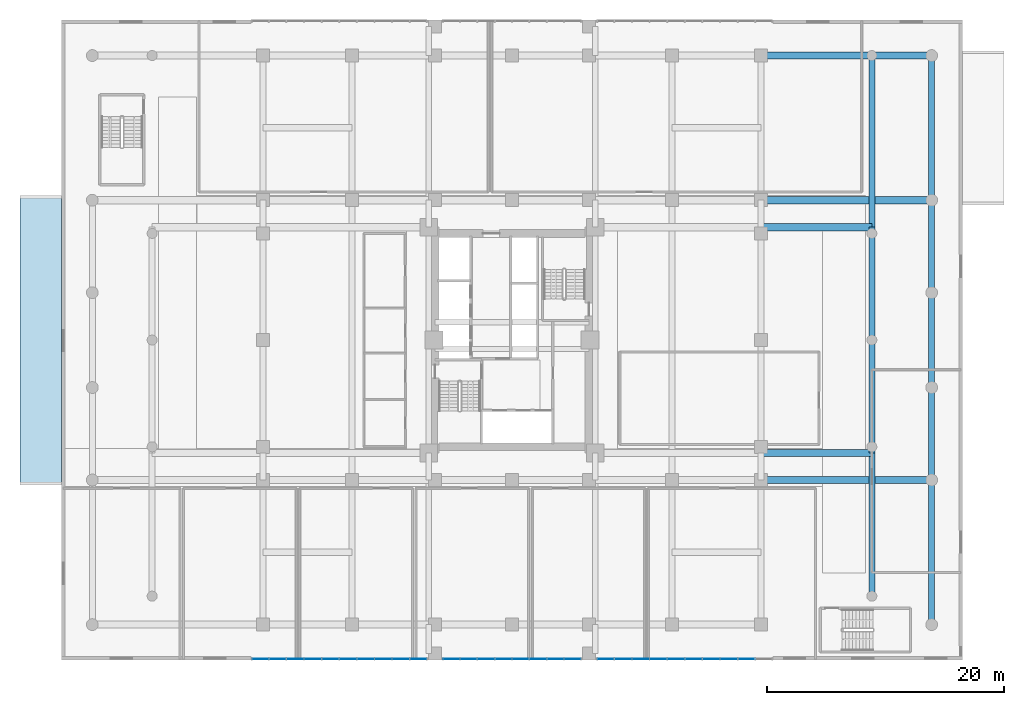
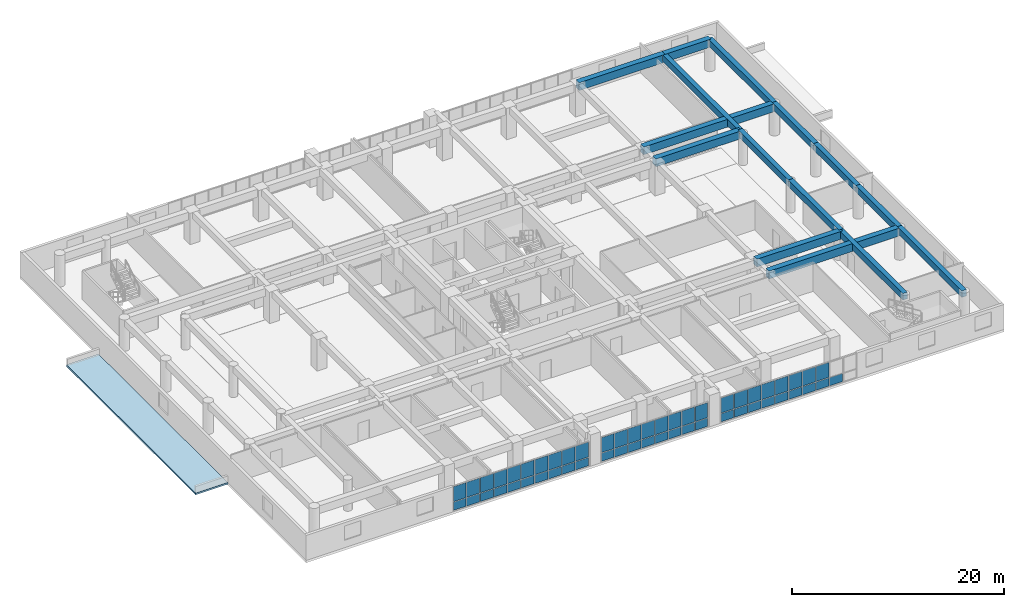
# One storey, part 12 of 27: 53 plates, 15 beams, 1 slab, 3 elements without a shape of their own.
"""IFC4 building model written with IfcOpenShell, lengths in metres."""

from ifc_helpers import new_model, si_unit, direction, frame, origin, origin_2d, place, context, subcontext, project, spatial, polyline, rectangle, outline, extrude, source, transform, mapped, material, layer, layer_set, material_profile, profile_set, type_object, element, aggregate, save


model = new_model("IFC4")

# Units and contexts
model_context = context("Model", 3, precision=1e-05, world=origin(), true_north=direction((0.0, 1.0)))
body_context = subcontext(model_context, "Body", "Model", "MODEL_VIEW")
ifc_project = project(units=[si_unit("LENGTHUNIT", "METRE"), si_unit("AREAUNIT", "SQUARE_METRE"), si_unit("VOLUMEUNIT", "CUBIC_METRE"), si_unit("PLANEANGLEUNIT", "RADIAN"), si_unit("MASSUNIT", "GRAM", prefix="KILO")], contexts=[model_context])

# Site, building, storey
site_placement = place(None, origin())
site = spatial("IfcSite", under=ifc_project, at=site_placement, CompositionType="ELEMENT")
building_placement = place(site_placement, origin())
building = spatial("IfcBuilding", under=site, at=building_placement, Name="Saelheon Loggia Tower", CompositionType="ELEMENT")
storey_placement = place(building_placement, frame((0.0, 0.0, 4.199951171875)))
storey = spatial("IfcBuildingStorey", under=building, at=storey_placement, Name="L01", CompositionType="ELEMENT", Elevation=4.199951171875)

# Beams
ifc_material_1 = material(Name="Concrete C50/60", Category="concrete")
ifc_material_profile_1 = material_profile(ifc_material_1, rectangle(XDim=0.60009765625, YDim=0.89990234375, at=origin_2d()), Name="RC-600x900")
ifc_profile_set_1 = profile_set([ifc_material_profile_1], Name="Concrete C50/60")
beam_type_1 = type_object("IfcBeamType", Name="Beam_MainGirder_RC600x900", PredefinedType="BEAM", material=ifc_profile_set_1)
shared_shape_1 = source(origin(), body_context, "Body", "SweptSolid", [
    extrude(rectangle(XDim=0.60009765625, YDim=0.89990234375, at=origin_2d()), origin(), (0.0, 0.0, 1.0), 14.39990234375),
])
for number, where, z_axis, x_axis, name in (
    (1, (59.0, 15.199951171875, 3.150146484375), (1.0, 0.0, 0.0), (0.0, 1.0, 0.0), "BM-L01-EW-15-8"),
    (2, (59.0, 38.800048828125, 3.150146484375), (1.0, 0.0, 0.0), (0.0, 1.0, 0.0), "BM-L01-EW-38-8"),
):
    element("IfcBeam", number, at=place(storey_placement, frame(where, z_axis=z_axis, x_axis=x_axis)), inside=storey, type_object=beam_type_1, Name=name, PredefinedType="BEAM", context=body_context, shape_type="MappedRepresentation", body=[
        mapped(shared_shape_1, transform((0.0, 0.0, 0.0), scale=1.0)),
    ])
shared_shape_2 = source(origin(), body_context, "Body", "SweptSolid", [
    extrude(rectangle(XDim=0.60009765625, YDim=0.89990234375, at=origin_2d()), origin(), (0.0, 0.0, 1.0), 5.0498046875),
])
beam_1_placement = place(storey_placement, frame((68.35009765625, 51.0, 3.150146484375), z_axis=(1.0, 0.0, 0.0), x_axis=(0.0, 1.0, 0.0)))
element("IfcBeam", 3, at=beam_1_placement, inside=storey, type_object=beam_type_1, Name="BM-L01-EW-51-10", PredefinedType="BEAM", context=body_context, shape_type="MappedRepresentation", body=[
    mapped(shared_shape_2, transform((0.0, 0.0, 0.0), scale=1.0)),
])
shared_shape_3 = source(origin(), body_context, "Body", "SweptSolid", [
    extrude(rectangle(XDim=0.60009765625, YDim=0.89990234375, at=origin_2d()), origin(), (0.0, 0.0, 1.0), 9.35009765625),
])
for number, where, z_axis, x_axis, name in (
    (4, (59.0, 51.0, 3.150146484375), (1.0, 0.0, 0.0), (0.0, 1.0, 0.0), "BM-L01-EW-51-9"),
    (5, (59.0, 17.47998046875, 3.150146484375), (1.0, 0.0, 0.0), (0.0, 1.0, 0.0), "BM-L01-CT-17-E1"),
    (6, (59.0, 36.52001953125, 3.150146484375), (1.0, 0.0, 0.0), (0.0, 1.0, 0.0), "BM-L01-CT-36-E1"),
):
    element("IfcBeam", number, at=place(storey_placement, frame(where, z_axis=z_axis, x_axis=x_axis)), inside=storey, type_object=beam_type_1, Name=name, PredefinedType="BEAM", context=body_context, shape_type="MappedRepresentation", body=[
        mapped(shared_shape_3, transform((0.0, 0.0, 0.0), scale=1.0)),
    ])
ifc_material_2 = material(Name="Concrete C45/55", Category="concrete")
ifc_material_profile_2 = material_profile(ifc_material_2, rectangle(XDim=0.5, YDim=0.75, at=origin_2d()), Name="RC-500x750")
ifc_profile_set_2 = profile_set([ifc_material_profile_2], Name="Concrete C45/55")
beam_type_2 = type_object("IfcBeamType", Name="Beam_PerimGirder_RC500x750", PredefinedType="BEAM", material=ifc_profile_set_2)
shared_shape_4 = source(origin(), body_context, "Body", "SweptSolid", [
    extrude(rectangle(XDim=0.5, YDim=0.75, at=origin_2d()), origin(), (0.0, 0.0, 1.0), 12.199951171875),
])
for number, where, z_axis, x_axis, name in (
    (7, (73.39990234375, 3.0, 3.22509765625), (0.0, 1.0, 0.0), (-1.0, 0.0, 0.0), "BM-L01-NS-73-1"),
    (8, (73.39990234375, 38.800048828125, 3.22509765625), (0.0, 1.0, 0.0), (-1.0, 0.0, 0.0), "BM-L01-NS-73-5"),
):
    element("IfcBeam", number, at=place(storey_placement, frame(where, z_axis=z_axis, x_axis=x_axis)), inside=storey, type_object=beam_type_2, Name=name, PredefinedType="BEAM", context=body_context, shape_type="MappedRepresentation", body=[
        mapped(shared_shape_4, transform((0.0, 0.0, 0.0), scale=1.0)),
    ])
shared_shape_5 = source(origin(), body_context, "Body", "SweptSolid", [
    extrude(rectangle(XDim=0.5, YDim=0.75, at=origin_2d()), origin(), (0.0, 0.0, 1.0), 7.800048828125),
])
for number, where, z_axis, x_axis, name in (
    (9, (73.39990234375, 15.199951171875, 3.22509765625), (0.0, 1.0, 0.0), (-1.0, 0.0, 0.0), "BM-L01-NS-73-2"),
    (10, (73.39990234375, 31.0, 3.22509765625), (0.0, 1.0, 0.0), (-1.0, 0.0, 0.0), "BM-L01-NS-73-4"),
):
    element("IfcBeam", number, at=place(storey_placement, frame(where, z_axis=z_axis, x_axis=x_axis)), inside=storey, type_object=beam_type_2, Name=name, PredefinedType="BEAM", context=body_context, shape_type="MappedRepresentation", body=[
        mapped(shared_shape_5, transform((0.0, 0.0, 0.0), scale=1.0)),
    ])
shared_shape_6 = source(origin(), body_context, "Body", "SweptSolid", [
    extrude(rectangle(XDim=0.5, YDim=0.75, at=origin_2d()), origin(), (0.0, 0.0, 1.0), 8.0),
])
beam_2_placement = place(storey_placement, frame((73.39990234375, 23.0, 3.22509765625), z_axis=(0.0, 1.0, 0.0), x_axis=(-1.0, 0.0, 0.0)))
element("IfcBeam", 11, at=beam_2_placement, inside=storey, type_object=beam_type_2, Name="BM-L01-NS-73-3", PredefinedType="BEAM", context=body_context, shape_type="MappedRepresentation", body=[
    mapped(shared_shape_6, transform((0.0, 0.0, 0.0), scale=1.0)),
])
ifc_material_profile_3 = material_profile(ifc_material_2, rectangle(XDim=0.5, YDim=0.75, at=origin_2d()), Name="RC-500x750")
ifc_profile_set_3 = profile_set([ifc_material_profile_3], Name="Concrete C45/55")
beam_type_3 = type_object("IfcBeamType", Name="Beam_FloorGirder_RC500x750", PredefinedType="BEAM", material=ifc_profile_set_3)
shared_shape_7 = source(origin(), body_context, "Body", "SweptSolid", [
    extrude(rectangle(XDim=0.5, YDim=0.75, at=origin_2d()), origin(), (0.0, 0.0, 1.0), 12.080078125),
])
beam_3_placement = place(storey_placement, frame((68.35009765625, 5.39990234375, 3.22509765625), z_axis=(0.0, 1.0, 0.0), x_axis=(-1.0, 0.0, 0.0)))
element("IfcBeam", 12, at=beam_3_placement, inside=storey, type_object=beam_type_3, Name="BM-L01-NS-68-1", PredefinedType="BEAM", context=body_context, shape_type="MappedRepresentation", body=[
    mapped(shared_shape_7, transform((0.0, 0.0, 0.0), scale=1.0)),
])
shared_shape_8 = source(origin(), body_context, "Body", "SweptSolid", [
    extrude(rectangle(XDim=0.5, YDim=0.75, at=origin_2d()), origin(), (0.0, 0.0, 1.0), 9.52001953125),
])
for number, where, z_axis, x_axis, name in (
    (13, (68.35009765625, 17.47998046875, 3.22509765625), (0.0, 1.0, 0.0), (-1.0, 0.0, 0.0), "BM-L01-NS-68-2"),
    (14, (68.35009765625, 27.0, 3.22509765625), (0.0, 1.0, 0.0), (-1.0, 0.0, 0.0), "BM-L01-NS-68-3"),
):
    element("IfcBeam", number, at=place(storey_placement, frame(where, z_axis=z_axis, x_axis=x_axis)), inside=storey, type_object=beam_type_3, Name=name, PredefinedType="BEAM", context=body_context, shape_type="MappedRepresentation", body=[
        mapped(shared_shape_8, transform((0.0, 0.0, 0.0), scale=1.0)),
    ])
shared_shape_9 = source(origin(), body_context, "Body", "SweptSolid", [
    extrude(rectangle(XDim=0.5, YDim=0.75, at=origin_2d()), origin(), (0.0, 0.0, 1.0), 14.47998046875),
])
beam_4_placement = place(storey_placement, frame((68.35009765625, 36.52001953125, 3.22509765625), z_axis=(0.0, 1.0, 0.0), x_axis=(-1.0, 0.0, 0.0)))
element("IfcBeam", 15, at=beam_4_placement, inside=storey, type_object=beam_type_3, Name="BM-L01-NS-68-4", PredefinedType="BEAM", context=body_context, shape_type="MappedRepresentation", body=[
    mapped(shared_shape_9, transform((0.0, 0.0, 0.0), scale=1.0)),
])

# Slab
ifc_material_3 = material(Name="Precast Concrete C45/55", Category="concrete")
ifc_layer_1 = layer(ifc_material_3, 0.199951171875)
ifc_layer_set_1 = layer_set([ifc_layer_1], Name="Precast Concrete C45/55")
slab_type = type_object("IfcSlabType", Name="Slab_CanopyRoof_200", PredefinedType="ROOF", material=ifc_layer_set_1)
slab_placement = place(storey_placement, frame((0.0, 0.0, -0.199951171875)))
element("IfcSlab", 16, at=slab_placement, inside=storey, type_object=slab_type, Name="L01 West Entrance Portico Canopy Roof", PredefinedType="ROOF", context=body_context, shape_type="SweptSolid", body=[
    extrude(outline(polyline([(-3.5, 14.800048828125), (0.0, 14.800048828125), (0.0, 39.199951171875), (-3.5, 39.199951171875), (-3.5, 14.800048828125)])), origin(), (0.0, 0.0, 1.0), 0.199951171875),
])

# Curtain wall, plates
ifc_material_4 = material(Name="Aluminium 6063-T6 and Low-E IGU", Category="aluminium")
ifc_layer_2 = layer(ifc_material_4, 0.179931640625)
ifc_layer_set_2 = layer_set([ifc_layer_2], Name="Aluminium 6063-T6 and Low-E IGU")
curtain_wall_type = type_object("IfcCurtainWallType", Name="CW_PodiumClinic", PredefinedType="NOTDEFINED", material=ifc_layer_set_2)
curtain_wall_1_placement = place(storey_placement, origin())
curtain_wall_1 = element("IfcCurtainWall", 17, at=curtain_wall_1_placement, inside=storey, type_object=curtain_wall_type, Name="L01 South Clinic Curtain Wall 1", PredefinedType="NOTDEFINED")
ifc_material_5 = material(Name="Triple Low-E Laminated Glazing", Category="glass")
ifc_layer_3 = layer(ifc_material_5, 0.031982421875)
ifc_layer_set_3 = layer_set([ifc_layer_3], Name="Triple Low-E Laminated Glazing")
plate_type = type_object("IfcPlateType", Name="CW_PodiumClinic_Panel", PredefinedType="CURTAIN_PANEL", material=ifc_layer_set_3)
shared_shape_10 = source(origin(), body_context, "Body", "SweptSolid", [
    extrude(rectangle(XDim=1.3798828125, YDim=0.031982421875, at=origin_2d()), origin(), (0.0, 0.0, 1.0), 0.945068359375),
])
plate_1_placement = place(storey_placement, frame((16.760009765625, 0.10009765625, 0.06982421875), z_axis=(0.0, 0.0, 1.0), x_axis=(1.0, 0.0, 0.0)))
plate_1 = element("IfcPlate", 18, at=plate_1_placement, type_object=plate_type, Name="CW1 panel 1.1", PredefinedType="CURTAIN_PANEL", context=body_context, shape_type="MappedRepresentation", body=[
    mapped(shared_shape_10, transform((0.0, 0.0, 0.0), scale=1.0)),
])
plate_2_placement = place(storey_placement, frame((30.090087890625, 0.10009765625, 0.06982421875), z_axis=(0.0, 0.0, 1.0), x_axis=(1.0, 0.0, 0.0)))
plate_2 = element("IfcPlate", 19, at=plate_2_placement, type_object=plate_type, Name="CW1 panel 10.1", PredefinedType="CURTAIN_PANEL", context=body_context, shape_type="MappedRepresentation", body=[
    mapped(shared_shape_10, transform((0.0, 0.0, 0.0), scale=1.0)),
])

# Curtain wall, plate
curtain_wall_2_placement = place(storey_placement, origin())
curtain_wall_2 = element("IfcCurtainWall", 20, at=curtain_wall_2_placement, inside=storey, type_object=curtain_wall_type, Name="L01 South Clinic Curtain Wall 3", PredefinedType="NOTDEFINED")
plate_3_placement = place(storey_placement, frame((45.909912109375, 0.10009765625, 0.06982421875), z_axis=(0.0, 0.0, 1.0), x_axis=(1.0, 0.0, 0.0)))
plate_3 = element("IfcPlate", 21, at=plate_3_placement, type_object=plate_type, Name="CW1 panel 1.1", PredefinedType="CURTAIN_PANEL", context=body_context, shape_type="MappedRepresentation", body=[
    mapped(shared_shape_10, transform((0.0, 0.0, 0.0), scale=1.0)),
])

# Plate
shared_shape_11 = source(origin(), body_context, "Body", "SweptSolid", [
    extrude(rectangle(XDim=1.3798828125, YDim=0.031982421875, at=origin_2d()), origin(), (0.0, 0.0, 1.0), 1.72509765625),
])
plate_4_placement = place(storey_placement, frame((16.760009765625, 0.10009765625, 1.0849609375), z_axis=(0.0, 0.0, 1.0), x_axis=(1.0, 0.0, 0.0)))
plate_4 = element("IfcPlate", 22, at=plate_4_placement, type_object=plate_type, Name="CW1 panel 1.2", PredefinedType="CURTAIN_PANEL", context=body_context, shape_type="MappedRepresentation", body=[
    mapped(shared_shape_11, transform((0.0, 0.0, 0.0), scale=1.0)),
])

plate_5_placement = place(storey_placement, frame((30.090087890625, 0.10009765625, 1.0849609375), z_axis=(0.0, 0.0, 1.0), x_axis=(1.0, 0.0, 0.0)))
plate_5 = element("IfcPlate", 23, at=plate_5_placement, type_object=plate_type, Name="CW1 panel 10.2", PredefinedType="CURTAIN_PANEL", context=body_context, shape_type="MappedRepresentation", body=[
    mapped(shared_shape_11, transform((0.0, 0.0, 0.0), scale=1.0)),
])

plate_6_placement = place(storey_placement, frame((45.909912109375, 0.10009765625, 1.0849609375), z_axis=(0.0, 0.0, 1.0), x_axis=(1.0, 0.0, 0.0)))
plate_6 = element("IfcPlate", 24, at=plate_6_placement, type_object=plate_type, Name="CW1 panel 1.2", PredefinedType="CURTAIN_PANEL", context=body_context, shape_type="MappedRepresentation", body=[
    mapped(shared_shape_11, transform((0.0, 0.0, 0.0), scale=1.0)),
])

shared_shape_12 = source(origin(), body_context, "Body", "SweptSolid", [
    extrude(rectangle(XDim=1.4150390625, YDim=0.031982421875, at=origin_2d()), origin(), (0.0, 0.0, 1.0), 0.945068359375),
])
plate_7_placement = place(storey_placement, frame((18.2275390625, 0.10009765625, 0.06982421875), z_axis=(0.0, 0.0, 1.0), x_axis=(1.0, 0.0, 0.0)))
plate_7 = element("IfcPlate", 25, at=plate_7_placement, type_object=plate_type, Name="CW1 panel 2.1", PredefinedType="CURTAIN_PANEL", context=body_context, shape_type="MappedRepresentation", body=[
    mapped(shared_shape_12, transform((0.0, 0.0, 0.0), scale=1.0)),
])

plate_8_placement = place(storey_placement, frame((19.71240234375, 0.10009765625, 0.06982421875), z_axis=(0.0, 0.0, 1.0), x_axis=(1.0, 0.0, 0.0)))
plate_8 = element("IfcPlate", 26, at=plate_8_placement, type_object=plate_type, Name="CW1 panel 3.1", PredefinedType="CURTAIN_PANEL", context=body_context, shape_type="MappedRepresentation", body=[
    mapped(shared_shape_12, transform((0.0, 0.0, 0.0), scale=1.0)),
])

plate_9_placement = place(storey_placement, frame((21.197509765625, 0.10009765625, 0.06982421875), z_axis=(0.0, 0.0, 1.0), x_axis=(1.0, 0.0, 0.0)))
plate_9 = element("IfcPlate", 27, at=plate_9_placement, type_object=plate_type, Name="CW1 panel 4.1", PredefinedType="CURTAIN_PANEL", context=body_context, shape_type="MappedRepresentation", body=[
    mapped(shared_shape_12, transform((0.0, 0.0, 0.0), scale=1.0)),
])

plate_10_placement = place(storey_placement, frame((22.6826171875, 0.10009765625, 0.06982421875), z_axis=(0.0, 0.0, 1.0), x_axis=(1.0, 0.0, 0.0)))
plate_10 = element("IfcPlate", 28, at=plate_10_placement, type_object=plate_type, Name="CW1 panel 5.1", PredefinedType="CURTAIN_PANEL", context=body_context, shape_type="MappedRepresentation", body=[
    mapped(shared_shape_12, transform((0.0, 0.0, 0.0), scale=1.0)),
])

plate_11_placement = place(storey_placement, frame((24.16748046875, 0.10009765625, 0.06982421875), z_axis=(0.0, 0.0, 1.0), x_axis=(1.0, 0.0, 0.0)))
plate_11 = element("IfcPlate", 29, at=plate_11_placement, type_object=plate_type, Name="CW1 panel 6.1", PredefinedType="CURTAIN_PANEL", context=body_context, shape_type="MappedRepresentation", body=[
    mapped(shared_shape_12, transform((0.0, 0.0, 0.0), scale=1.0)),
])

plate_12_placement = place(storey_placement, frame((25.652587890625, 0.10009765625, 0.06982421875), z_axis=(0.0, 0.0, 1.0), x_axis=(1.0, 0.0, 0.0)))
plate_12 = element("IfcPlate", 30, at=plate_12_placement, type_object=plate_type, Name="CW1 panel 7.1", PredefinedType="CURTAIN_PANEL", context=body_context, shape_type="MappedRepresentation", body=[
    mapped(shared_shape_12, transform((0.0, 0.0, 0.0), scale=1.0)),
])

plate_13_placement = place(storey_placement, frame((27.137451171875, 0.10009765625, 0.06982421875), z_axis=(0.0, 0.0, 1.0), x_axis=(1.0, 0.0, 0.0)))
plate_13 = element("IfcPlate", 31, at=plate_13_placement, type_object=plate_type, Name="CW1 panel 8.1", PredefinedType="CURTAIN_PANEL", context=body_context, shape_type="MappedRepresentation", body=[
    mapped(shared_shape_12, transform((0.0, 0.0, 0.0), scale=1.0)),
])

plate_14_placement = place(storey_placement, frame((28.62255859375, 0.10009765625, 0.06982421875), z_axis=(0.0, 0.0, 1.0), x_axis=(1.0, 0.0, 0.0)))
plate_14 = element("IfcPlate", 32, at=plate_14_placement, type_object=plate_type, Name="CW1 panel 9.1", PredefinedType="CURTAIN_PANEL", context=body_context, shape_type="MappedRepresentation", body=[
    mapped(shared_shape_12, transform((0.0, 0.0, 0.0), scale=1.0)),
])

plate_15_placement = place(storey_placement, frame((47.37744140625, 0.10009765625, 0.06982421875), z_axis=(0.0, 0.0, 1.0), x_axis=(1.0, 0.0, 0.0)))
plate_15 = element("IfcPlate", 33, at=plate_15_placement, type_object=plate_type, Name="CW1 panel 2.1", PredefinedType="CURTAIN_PANEL", context=body_context, shape_type="MappedRepresentation", body=[
    mapped(shared_shape_12, transform((0.0, 0.0, 0.0), scale=1.0)),
])

plate_16_placement = place(storey_placement, frame((48.862548828125, 0.10009765625, 0.06982421875), z_axis=(0.0, 0.0, 1.0), x_axis=(1.0, 0.0, 0.0)))
plate_16 = element("IfcPlate", 34, at=plate_16_placement, type_object=plate_type, Name="CW1 panel 3.1", PredefinedType="CURTAIN_PANEL", context=body_context, shape_type="MappedRepresentation", body=[
    mapped(shared_shape_12, transform((0.0, 0.0, 0.0), scale=1.0)),
])

plate_17_placement = place(storey_placement, frame((50.347412109375, 0.10009765625, 0.06982421875), z_axis=(0.0, 0.0, 1.0), x_axis=(1.0, 0.0, 0.0)))
plate_17 = element("IfcPlate", 35, at=plate_17_placement, type_object=plate_type, Name="CW1 panel 4.1", PredefinedType="CURTAIN_PANEL", context=body_context, shape_type="MappedRepresentation", body=[
    mapped(shared_shape_12, transform((0.0, 0.0, 0.0), scale=1.0)),
])

plate_18_placement = place(storey_placement, frame((51.83251953125, 0.10009765625, 0.06982421875), z_axis=(0.0, 0.0, 1.0), x_axis=(1.0, 0.0, 0.0)))
plate_18 = element("IfcPlate", 36, at=plate_18_placement, type_object=plate_type, Name="CW1 panel 5.1", PredefinedType="CURTAIN_PANEL", context=body_context, shape_type="MappedRepresentation", body=[
    mapped(shared_shape_12, transform((0.0, 0.0, 0.0), scale=1.0)),
])

plate_19_placement = place(storey_placement, frame((53.3173828125, 0.10009765625, 0.06982421875), z_axis=(0.0, 0.0, 1.0), x_axis=(1.0, 0.0, 0.0)))
plate_19 = element("IfcPlate", 37, at=plate_19_placement, type_object=plate_type, Name="CW1 panel 6.1", PredefinedType="CURTAIN_PANEL", context=body_context, shape_type="MappedRepresentation", body=[
    mapped(shared_shape_12, transform((0.0, 0.0, 0.0), scale=1.0)),
])

plate_20_placement = place(storey_placement, frame((54.802490234375, 0.10009765625, 0.06982421875), z_axis=(0.0, 0.0, 1.0), x_axis=(1.0, 0.0, 0.0)))
plate_20 = element("IfcPlate", 38, at=plate_20_placement, type_object=plate_type, Name="CW1 panel 7.1", PredefinedType="CURTAIN_PANEL", context=body_context, shape_type="MappedRepresentation", body=[
    mapped(shared_shape_12, transform((0.0, 0.0, 0.0), scale=1.0)),
])

plate_21_placement = place(storey_placement, frame((56.28759765625, 0.10009765625, 0.06982421875), z_axis=(0.0, 0.0, 1.0), x_axis=(1.0, 0.0, 0.0)))
plate_21 = element("IfcPlate", 39, at=plate_21_placement, type_object=plate_type, Name="CW1 panel 8.1", PredefinedType="CURTAIN_PANEL", context=body_context, shape_type="MappedRepresentation", body=[
    mapped(shared_shape_12, transform((0.0, 0.0, 0.0), scale=1.0)),
])

plate_22_placement = place(storey_placement, frame((57.7724609375, 0.10009765625, 0.06982421875), z_axis=(0.0, 0.0, 1.0), x_axis=(1.0, 0.0, 0.0)))
plate_22 = element("IfcPlate", 40, at=plate_22_placement, type_object=plate_type, Name="CW1 panel 9.1", PredefinedType="CURTAIN_PANEL", context=body_context, shape_type="MappedRepresentation", body=[
    mapped(shared_shape_12, transform((0.0, 0.0, 0.0), scale=1.0)),
])

shared_shape_13 = source(origin(), body_context, "Body", "SweptSolid", [
    extrude(rectangle(XDim=1.4150390625, YDim=0.031982421875, at=origin_2d()), origin(), (0.0, 0.0, 1.0), 1.72509765625),
])
plate_23_placement = place(storey_placement, frame((18.2275390625, 0.10009765625, 1.0849609375), z_axis=(0.0, 0.0, 1.0), x_axis=(1.0, 0.0, 0.0)))
plate_23 = element("IfcPlate", 41, at=plate_23_placement, type_object=plate_type, Name="CW1 panel 2.2", PredefinedType="CURTAIN_PANEL", context=body_context, shape_type="MappedRepresentation", body=[
    mapped(shared_shape_13, transform((0.0, 0.0, 0.0), scale=1.0)),
])

plate_24_placement = place(storey_placement, frame((19.71240234375, 0.10009765625, 1.0849609375), z_axis=(0.0, 0.0, 1.0), x_axis=(1.0, 0.0, 0.0)))
plate_24 = element("IfcPlate", 42, at=plate_24_placement, type_object=plate_type, Name="CW1 panel 3.2", PredefinedType="CURTAIN_PANEL", context=body_context, shape_type="MappedRepresentation", body=[
    mapped(shared_shape_13, transform((0.0, 0.0, 0.0), scale=1.0)),
])

plate_25_placement = place(storey_placement, frame((21.197509765625, 0.10009765625, 1.0849609375), z_axis=(0.0, 0.0, 1.0), x_axis=(1.0, 0.0, 0.0)))
plate_25 = element("IfcPlate", 43, at=plate_25_placement, type_object=plate_type, Name="CW1 panel 4.2", PredefinedType="CURTAIN_PANEL", context=body_context, shape_type="MappedRepresentation", body=[
    mapped(shared_shape_13, transform((0.0, 0.0, 0.0), scale=1.0)),
])

plate_26_placement = place(storey_placement, frame((22.6826171875, 0.10009765625, 1.0849609375), z_axis=(0.0, 0.0, 1.0), x_axis=(1.0, 0.0, 0.0)))
plate_26 = element("IfcPlate", 44, at=plate_26_placement, type_object=plate_type, Name="CW1 panel 5.2", PredefinedType="CURTAIN_PANEL", context=body_context, shape_type="MappedRepresentation", body=[
    mapped(shared_shape_13, transform((0.0, 0.0, 0.0), scale=1.0)),
])

plate_27_placement = place(storey_placement, frame((24.16748046875, 0.10009765625, 1.0849609375), z_axis=(0.0, 0.0, 1.0), x_axis=(1.0, 0.0, 0.0)))
plate_27 = element("IfcPlate", 45, at=plate_27_placement, type_object=plate_type, Name="CW1 panel 6.2", PredefinedType="CURTAIN_PANEL", context=body_context, shape_type="MappedRepresentation", body=[
    mapped(shared_shape_13, transform((0.0, 0.0, 0.0), scale=1.0)),
])

plate_28_placement = place(storey_placement, frame((25.652587890625, 0.10009765625, 1.0849609375), z_axis=(0.0, 0.0, 1.0), x_axis=(1.0, 0.0, 0.0)))
plate_28 = element("IfcPlate", 46, at=plate_28_placement, type_object=plate_type, Name="CW1 panel 7.2", PredefinedType="CURTAIN_PANEL", context=body_context, shape_type="MappedRepresentation", body=[
    mapped(shared_shape_13, transform((0.0, 0.0, 0.0), scale=1.0)),
])

plate_29_placement = place(storey_placement, frame((27.137451171875, 0.10009765625, 1.0849609375), z_axis=(0.0, 0.0, 1.0), x_axis=(1.0, 0.0, 0.0)))
plate_29 = element("IfcPlate", 47, at=plate_29_placement, type_object=plate_type, Name="CW1 panel 8.2", PredefinedType="CURTAIN_PANEL", context=body_context, shape_type="MappedRepresentation", body=[
    mapped(shared_shape_13, transform((0.0, 0.0, 0.0), scale=1.0)),
])

plate_30_placement = place(storey_placement, frame((28.62255859375, 0.10009765625, 1.0849609375), z_axis=(0.0, 0.0, 1.0), x_axis=(1.0, 0.0, 0.0)))
plate_30 = element("IfcPlate", 48, at=plate_30_placement, type_object=plate_type, Name="CW1 panel 9.2", PredefinedType="CURTAIN_PANEL", context=body_context, shape_type="MappedRepresentation", body=[
    mapped(shared_shape_13, transform((0.0, 0.0, 0.0), scale=1.0)),
])

aggregate(curtain_wall_1, [plate_1, plate_4, plate_7, plate_23, plate_8, plate_24, plate_9, plate_25, plate_10, plate_26, plate_11, plate_27, plate_12, plate_28, plate_13, plate_29, plate_14, plate_30, plate_2, plate_5])

plate_31_placement = place(storey_placement, frame((47.37744140625, 0.10009765625, 1.0849609375), z_axis=(0.0, 0.0, 1.0), x_axis=(1.0, 0.0, 0.0)))
plate_31 = element("IfcPlate", 49, at=plate_31_placement, type_object=plate_type, Name="CW1 panel 2.2", PredefinedType="CURTAIN_PANEL", context=body_context, shape_type="MappedRepresentation", body=[
    mapped(shared_shape_13, transform((0.0, 0.0, 0.0), scale=1.0)),
])

plate_32_placement = place(storey_placement, frame((48.862548828125, 0.10009765625, 1.0849609375), z_axis=(0.0, 0.0, 1.0), x_axis=(1.0, 0.0, 0.0)))
plate_32 = element("IfcPlate", 50, at=plate_32_placement, type_object=plate_type, Name="CW1 panel 3.2", PredefinedType="CURTAIN_PANEL", context=body_context, shape_type="MappedRepresentation", body=[
    mapped(shared_shape_13, transform((0.0, 0.0, 0.0), scale=1.0)),
])

plate_33_placement = place(storey_placement, frame((50.347412109375, 0.10009765625, 1.0849609375), z_axis=(0.0, 0.0, 1.0), x_axis=(1.0, 0.0, 0.0)))
plate_33 = element("IfcPlate", 51, at=plate_33_placement, type_object=plate_type, Name="CW1 panel 4.2", PredefinedType="CURTAIN_PANEL", context=body_context, shape_type="MappedRepresentation", body=[
    mapped(shared_shape_13, transform((0.0, 0.0, 0.0), scale=1.0)),
])

plate_34_placement = place(storey_placement, frame((51.83251953125, 0.10009765625, 1.0849609375), z_axis=(0.0, 0.0, 1.0), x_axis=(1.0, 0.0, 0.0)))
plate_34 = element("IfcPlate", 52, at=plate_34_placement, type_object=plate_type, Name="CW1 panel 5.2", PredefinedType="CURTAIN_PANEL", context=body_context, shape_type="MappedRepresentation", body=[
    mapped(shared_shape_13, transform((0.0, 0.0, 0.0), scale=1.0)),
])

plate_35_placement = place(storey_placement, frame((53.3173828125, 0.10009765625, 1.0849609375), z_axis=(0.0, 0.0, 1.0), x_axis=(1.0, 0.0, 0.0)))
plate_35 = element("IfcPlate", 53, at=plate_35_placement, type_object=plate_type, Name="CW1 panel 6.2", PredefinedType="CURTAIN_PANEL", context=body_context, shape_type="MappedRepresentation", body=[
    mapped(shared_shape_13, transform((0.0, 0.0, 0.0), scale=1.0)),
])

plate_36_placement = place(storey_placement, frame((54.802490234375, 0.10009765625, 1.0849609375), z_axis=(0.0, 0.0, 1.0), x_axis=(1.0, 0.0, 0.0)))
plate_36 = element("IfcPlate", 54, at=plate_36_placement, type_object=plate_type, Name="CW1 panel 7.2", PredefinedType="CURTAIN_PANEL", context=body_context, shape_type="MappedRepresentation", body=[
    mapped(shared_shape_13, transform((0.0, 0.0, 0.0), scale=1.0)),
])

plate_37_placement = place(storey_placement, frame((56.28759765625, 0.10009765625, 1.0849609375), z_axis=(0.0, 0.0, 1.0), x_axis=(1.0, 0.0, 0.0)))
plate_37 = element("IfcPlate", 55, at=plate_37_placement, type_object=plate_type, Name="CW1 panel 8.2", PredefinedType="CURTAIN_PANEL", context=body_context, shape_type="MappedRepresentation", body=[
    mapped(shared_shape_13, transform((0.0, 0.0, 0.0), scale=1.0)),
])

aggregate(curtain_wall_2, [plate_3, plate_6, plate_15, plate_31, plate_16, plate_32, plate_17, plate_33, plate_18, plate_34, plate_19, plate_35, plate_20, plate_36, plate_21, plate_37, plate_22])

# Curtain wall, plates
curtain_wall_3_placement = place(storey_placement, origin())
curtain_wall_3 = element("IfcCurtainWall", 56, at=curtain_wall_3_placement, inside=storey, type_object=curtain_wall_type, Name="L01 South Clinic Curtain Wall 2", PredefinedType="NOTDEFINED")
shared_shape_14 = source(origin(), body_context, "Body", "SweptSolid", [
    extrude(rectangle(XDim=1.357421875, YDim=0.031982421875, at=origin_2d()), origin(), (0.0, 0.0, 1.0), 0.945068359375),
])
plate_38_placement = place(storey_placement, frame((32.898681640625, 0.10009765625, 0.06982421875), z_axis=(0.0, 0.0, 1.0), x_axis=(1.0, 0.0, 0.0)))
plate_38 = element("IfcPlate", 57, at=plate_38_placement, type_object=plate_type, Name="CW1 panel 1.1", PredefinedType="CURTAIN_PANEL", context=body_context, shape_type="MappedRepresentation", body=[
    mapped(shared_shape_14, transform((0.0, 0.0, 0.0), scale=1.0)),
])
plate_39_placement = place(storey_placement, frame((43.101318359375, 0.10009765625, 0.06982421875), z_axis=(0.0, 0.0, 1.0), x_axis=(1.0, 0.0, 0.0)))
plate_39 = element("IfcPlate", 58, at=plate_39_placement, type_object=plate_type, Name="CW1 panel 8.1", PredefinedType="CURTAIN_PANEL", context=body_context, shape_type="MappedRepresentation", body=[
    mapped(shared_shape_14, transform((0.0, 0.0, 0.0), scale=1.0)),
])
shared_shape_15 = source(origin(), body_context, "Body", "SweptSolid", [
    extrude(rectangle(XDim=1.357421875, YDim=0.031982421875, at=origin_2d()), origin(), (0.0, 0.0, 1.0), 1.72509765625),
])
plate_40_placement = place(storey_placement, frame((32.898681640625, 0.10009765625, 1.0849609375), z_axis=(0.0, 0.0, 1.0), x_axis=(1.0, 0.0, 0.0)))
plate_40 = element("IfcPlate", 59, at=plate_40_placement, type_object=plate_type, Name="CW1 panel 1.2", PredefinedType="CURTAIN_PANEL", context=body_context, shape_type="MappedRepresentation", body=[
    mapped(shared_shape_15, transform((0.0, 0.0, 0.0), scale=1.0)),
])
plate_41_placement = place(storey_placement, frame((43.101318359375, 0.10009765625, 1.0849609375), z_axis=(0.0, 0.0, 1.0), x_axis=(1.0, 0.0, 0.0)))
plate_41 = element("IfcPlate", 60, at=plate_41_placement, type_object=plate_type, Name="CW1 panel 8.2", PredefinedType="CURTAIN_PANEL", context=body_context, shape_type="MappedRepresentation", body=[
    mapped(shared_shape_15, transform((0.0, 0.0, 0.0), scale=1.0)),
])
shared_shape_16 = source(origin(), body_context, "Body", "SweptSolid", [
    extrude(rectangle(XDim=1.392578125, YDim=0.031982421875, at=origin_2d()), origin(), (0.0, 0.0, 1.0), 0.945068359375),
])
plate_42_placement = place(storey_placement, frame((34.34375, 0.10009765625, 0.06982421875), z_axis=(0.0, 0.0, 1.0), x_axis=(1.0, 0.0, 0.0)))
plate_42 = element("IfcPlate", 61, at=plate_42_placement, type_object=plate_type, Name="CW1 panel 2.1", PredefinedType="CURTAIN_PANEL", context=body_context, shape_type="MappedRepresentation", body=[
    mapped(shared_shape_16, transform((0.0, 0.0, 0.0), scale=1.0)),
])
plate_43_placement = place(storey_placement, frame((35.80615234375, 0.10009765625, 0.06982421875), z_axis=(0.0, 0.0, 1.0), x_axis=(1.0, 0.0, 0.0)))
plate_43 = element("IfcPlate", 62, at=plate_43_placement, type_object=plate_type, Name="CW1 panel 3.1", PredefinedType="CURTAIN_PANEL", context=body_context, shape_type="MappedRepresentation", body=[
    mapped(shared_shape_16, transform((0.0, 0.0, 0.0), scale=1.0)),
])
plate_44_placement = place(storey_placement, frame((37.268798828125, 0.10009765625, 0.06982421875), z_axis=(0.0, 0.0, 1.0), x_axis=(1.0, 0.0, 0.0)))
plate_44 = element("IfcPlate", 63, at=plate_44_placement, type_object=plate_type, Name="CW1 panel 4.1", PredefinedType="CURTAIN_PANEL", context=body_context, shape_type="MappedRepresentation", body=[
    mapped(shared_shape_16, transform((0.0, 0.0, 0.0), scale=1.0)),
])
plate_45_placement = place(storey_placement, frame((38.731201171875, 0.10009765625, 0.06982421875), z_axis=(0.0, 0.0, 1.0), x_axis=(1.0, 0.0, 0.0)))
plate_45 = element("IfcPlate", 64, at=plate_45_placement, type_object=plate_type, Name="CW1 panel 5.1", PredefinedType="CURTAIN_PANEL", context=body_context, shape_type="MappedRepresentation", body=[
    mapped(shared_shape_16, transform((0.0, 0.0, 0.0), scale=1.0)),
])
plate_46_placement = place(storey_placement, frame((40.19384765625, 0.10009765625, 0.06982421875), z_axis=(0.0, 0.0, 1.0), x_axis=(1.0, 0.0, 0.0)))
plate_46 = element("IfcPlate", 65, at=plate_46_placement, type_object=plate_type, Name="CW1 panel 6.1", PredefinedType="CURTAIN_PANEL", context=body_context, shape_type="MappedRepresentation", body=[
    mapped(shared_shape_16, transform((0.0, 0.0, 0.0), scale=1.0)),
])
plate_47_placement = place(storey_placement, frame((41.65625, 0.10009765625, 0.06982421875), z_axis=(0.0, 0.0, 1.0), x_axis=(1.0, 0.0, 0.0)))
plate_47 = element("IfcPlate", 66, at=plate_47_placement, type_object=plate_type, Name="CW1 panel 7.1", PredefinedType="CURTAIN_PANEL", context=body_context, shape_type="MappedRepresentation", body=[
    mapped(shared_shape_16, transform((0.0, 0.0, 0.0), scale=1.0)),
])
shared_shape_17 = source(origin(), body_context, "Body", "SweptSolid", [
    extrude(rectangle(XDim=1.392578125, YDim=0.031982421875, at=origin_2d()), origin(), (0.0, 0.0, 1.0), 1.72509765625),
])
plate_48_placement = place(storey_placement, frame((34.34375, 0.10009765625, 1.0849609375), z_axis=(0.0, 0.0, 1.0), x_axis=(1.0, 0.0, 0.0)))
plate_48 = element("IfcPlate", 67, at=plate_48_placement, type_object=plate_type, Name="CW1 panel 2.2", PredefinedType="CURTAIN_PANEL", context=body_context, shape_type="MappedRepresentation", body=[
    mapped(shared_shape_17, transform((0.0, 0.0, 0.0), scale=1.0)),
])
plate_49_placement = place(storey_placement, frame((35.80615234375, 0.10009765625, 1.0849609375), z_axis=(0.0, 0.0, 1.0), x_axis=(1.0, 0.0, 0.0)))
plate_49 = element("IfcPlate", 68, at=plate_49_placement, type_object=plate_type, Name="CW1 panel 3.2", PredefinedType="CURTAIN_PANEL", context=body_context, shape_type="MappedRepresentation", body=[
    mapped(shared_shape_17, transform((0.0, 0.0, 0.0), scale=1.0)),
])
plate_50_placement = place(storey_placement, frame((37.268798828125, 0.10009765625, 1.0849609375), z_axis=(0.0, 0.0, 1.0), x_axis=(1.0, 0.0, 0.0)))
plate_50 = element("IfcPlate", 69, at=plate_50_placement, type_object=plate_type, Name="CW1 panel 4.2", PredefinedType="CURTAIN_PANEL", context=body_context, shape_type="MappedRepresentation", body=[
    mapped(shared_shape_17, transform((0.0, 0.0, 0.0), scale=1.0)),
])
plate_51_placement = place(storey_placement, frame((38.731201171875, 0.10009765625, 1.0849609375), z_axis=(0.0, 0.0, 1.0), x_axis=(1.0, 0.0, 0.0)))
plate_51 = element("IfcPlate", 70, at=plate_51_placement, type_object=plate_type, Name="CW1 panel 5.2", PredefinedType="CURTAIN_PANEL", context=body_context, shape_type="MappedRepresentation", body=[
    mapped(shared_shape_17, transform((0.0, 0.0, 0.0), scale=1.0)),
])
plate_52_placement = place(storey_placement, frame((40.19384765625, 0.10009765625, 1.0849609375), z_axis=(0.0, 0.0, 1.0), x_axis=(1.0, 0.0, 0.0)))
plate_52 = element("IfcPlate", 71, at=plate_52_placement, type_object=plate_type, Name="CW1 panel 6.2", PredefinedType="CURTAIN_PANEL", context=body_context, shape_type="MappedRepresentation", body=[
    mapped(shared_shape_17, transform((0.0, 0.0, 0.0), scale=1.0)),
])
plate_53_placement = place(storey_placement, frame((41.65625, 0.10009765625, 1.0849609375), z_axis=(0.0, 0.0, 1.0), x_axis=(1.0, 0.0, 0.0)))
plate_53 = element("IfcPlate", 72, at=plate_53_placement, type_object=plate_type, Name="CW1 panel 7.2", PredefinedType="CURTAIN_PANEL", context=body_context, shape_type="MappedRepresentation", body=[
    mapped(shared_shape_17, transform((0.0, 0.0, 0.0), scale=1.0)),
])
aggregate(curtain_wall_3, [plate_38, plate_40, plate_42, plate_48, plate_43, plate_49, plate_44, plate_50, plate_45, plate_51, plate_46, plate_52, plate_47, plate_53, plate_39, plate_41])

save(model, "model.ifc")
